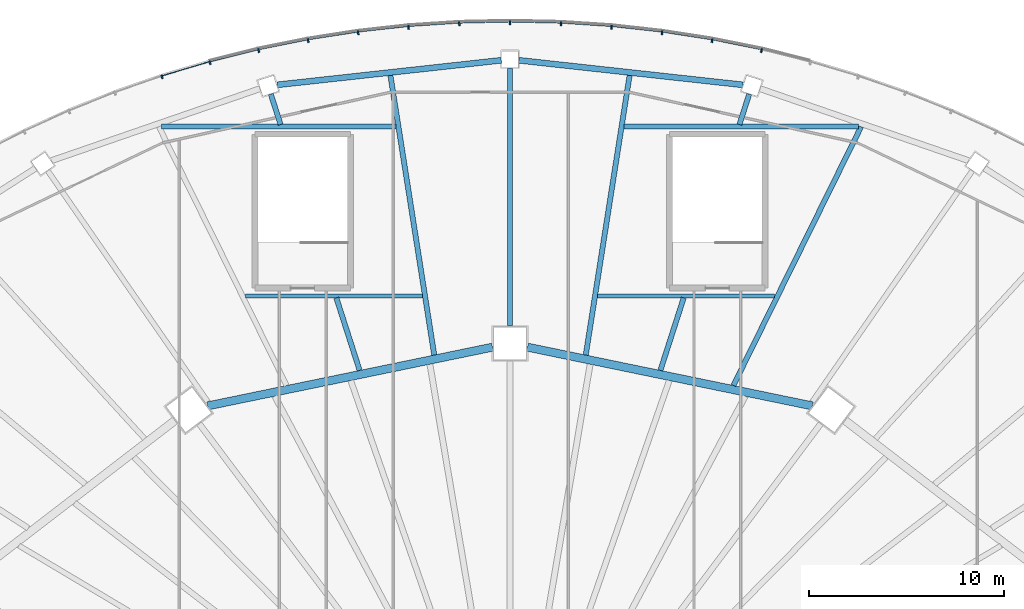
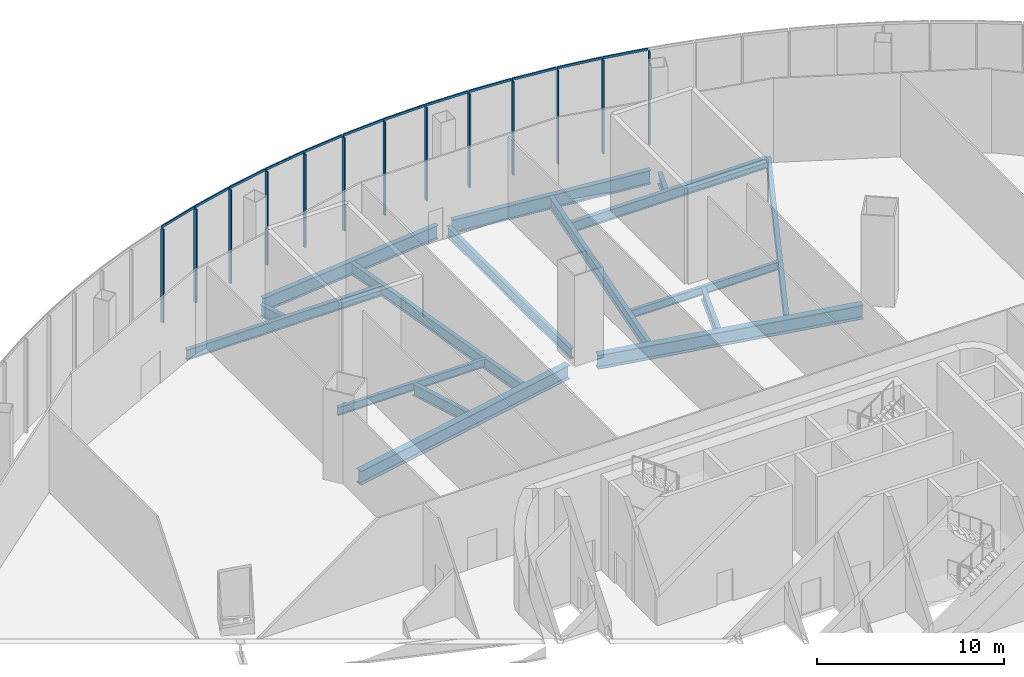
# One storey, part 14 of 33: 25 members, 16 beams, 3 elements without a shape of their own.
"""IFC4 building model written with IfcOpenShell, lengths in metres."""

from ifc_helpers import new_model, si_unit, direction, frame, origin, origin_2d, place, context, subcontext, project, spatial, rectangle, i_section, extrude, material, layer, layer_set, material_profile, profile_set, type_object, element, aggregate, save


model = new_model("IFC4")

# Units and contexts
model_context = context("Model", 3, precision=1e-05, world=origin(), true_north=direction((0.0, 1.0)))
body_context = subcontext(model_context, "Body", "Model", "MODEL_VIEW")
ifc_project = project(units=[si_unit("LENGTHUNIT", "METRE"), si_unit("AREAUNIT", "SQUARE_METRE"), si_unit("VOLUMEUNIT", "CUBIC_METRE"), si_unit("PLANEANGLEUNIT", "RADIAN"), si_unit("MASSUNIT", "GRAM", prefix="KILO")], contexts=[model_context])

# Site, building, storey
site_placement = place(None, origin())
site = spatial("IfcSite", under=ifc_project, at=site_placement, CompositionType="ELEMENT")
building_placement = place(site_placement, origin())
building = spatial("IfcBuilding", under=site, at=building_placement, Name="Sahrelin Media Tower", CompositionType="ELEMENT")
storey_placement = place(building_placement, frame((0.0, 0.0, 37.39990234375)))
storey = spatial("IfcBuildingStorey", under=building, at=storey_placement, Name="L05", CompositionType="ELEMENT", Elevation=37.39990234375)

# Beams
ifc_material_1 = material(Name="Steel S355", Category="steel")
ifc_material_profile_1 = material_profile(ifc_material_1, i_section(OverallWidth=0.208740234375, OverallDepth=0.5283203125, WebThickness=0.009521484375, FlangeThickness=0.01318359375, FilletRadius=0.0126953125, at=origin_2d()), Name="UB 533x210x82")
ifc_profile_set_1 = profile_set([ifc_material_profile_1], Name="Steel S355")
beam_type_1 = type_object("IfcBeamType", Name="Header beam HB6", PredefinedType="BEAM", material=ifc_profile_set_1)
for number, where, z_axis, x_axis, name in (
    (1, (13.59814453125, 27.85009765625, -0.464111328125), (-1.0, 0.0, 0.0), (0.0, -1.0, 0.0), "Header beam L05-01"),
    (2, (-4.50146484375, 27.85009765625, -0.464111328125), (-1.0, 0.0, 0.0), (0.0, -1.0, 0.0), "Header beam L05-03"),
):
    element("IfcBeam", number, at=place(storey_placement, frame(where, z_axis=z_axis, x_axis=x_axis)), inside=storey, type_object=beam_type_1, Name=name, PredefinedType="BEAM", context=body_context, shape_type="SweptSolid", body=[
        extrude(i_section(OverallWidth=0.208740234375, OverallDepth=0.5283203125, WebThickness=0.009521484375, FlangeThickness=0.01318359375, FilletRadius=0.0126953125, at=origin_2d()), origin(), (0.0, 0.0, 1.0), 9.0966796875),
    ])
ifc_material_profile_2 = material_profile(ifc_material_1, i_section(OverallWidth=0.2529296875, OverallDepth=0.677978515625, WebThickness=0.01171875, FlangeThickness=0.01611328125, FilletRadius=0.01513671875, at=origin_2d()), Name="UB 686x254x125")
ifc_profile_set_2 = profile_set([ifc_material_profile_2], Name="Steel S355")
beam_type_2 = type_object("IfcBeamType", Name="Header beam HB8", PredefinedType="BEAM", material=ifc_profile_set_2)
for number, where, z_axis, x_axis, name in (
    (3, (5.86572265625, 36.550048828125, -0.538818359375), (1.0, 0.0, 0.0), (0.0, 1.0, 0.0), "Header beam L05-02"),
    (4, (-17.892333984375, 36.550048828125, -0.538818359375), (1.0, 0.0, 0.0), (0.0, 1.0, 0.0), "Header beam L05-04"),
):
    element("IfcBeam", number, at=place(storey_placement, frame(where, z_axis=z_axis, x_axis=x_axis)), inside=storey, type_object=beam_type_2, Name=name, PredefinedType="BEAM", context=body_context, shape_type="SweptSolid", body=[
        extrude(i_section(OverallWidth=0.2529296875, OverallDepth=0.677978515625, WebThickness=0.01171875, FlangeThickness=0.01611328125, FilletRadius=0.01513671875, at=origin_2d()), origin(), (0.0, 0.0, 1.0), 12.026611328125),
    ])

# Curtain wall, members
ifc_material_2 = material(Name="Champagne anodised aluminium 6063-T6", Category="aluminium")
ifc_layer = layer(ifc_material_2, 0.14990234375)
ifc_layer_set = layer_set([ifc_layer], Name="Podium ribbon curtain wall")
curtain_wall_type = type_object("IfcCurtainWallType", Name="Podium ribbon curtain wall", PredefinedType="NOTDEFINED", material=ifc_layer_set)
curtain_wall_1_placement = place(storey_placement, frame((12.94091796875, 40.56884765625, 0.0), z_axis=(0.0, 0.0, 1.0), x_axis=(1.0, 0.0, 0.0)))
curtain_wall_1 = element("IfcCurtainWall", 5, at=curtain_wall_1_placement, inside=storey, type_object=curtain_wall_type, Name="L05:CW:L05-P05", PredefinedType="NOTDEFINED")
ifc_material_profile_3 = material_profile(ifc_material_2, rectangle(XDim=0.080078125, YDim=0.199951171875, at=origin_2d()), Name="Mullion 80x200")
ifc_profile_set_3 = profile_set([ifc_material_profile_3], Name="Champagne anodised aluminium 6063-T6")
member_type_1 = type_object("IfcMemberType", Name="Mullion 80x200 CW5", PredefinedType="MULLION", material=ifc_profile_set_3)
member_1_placement = place(storey_placement, frame((12.917236328125, 40.451416015625, 0.0), z_axis=(0.0, 0.0, 1.0), x_axis=(-0.980267034681, 0.197677871087, 0.0)))
member_1 = element("IfcMember", 6, at=member_1_placement, type_object=member_type_1, Name="L05:CWM1:L05-P05", PredefinedType="MULLION", context=body_context, shape_type="SweptSolid", body=[
    extrude(rectangle(XDim=0.080078125, YDim=0.199951171875, at=origin_2d()), origin(), (0.0, 0.0, 1.0), 6.10009765625),
])
member_2_placement = place(storey_placement, frame((10.377197265625, 40.963623046875, 0.0), z_axis=(0.0, 0.0, 1.0), x_axis=(-0.988097990296, 0.15382575068, 0.0)))
member_2 = element("IfcMember", 7, at=member_2_placement, type_object=member_type_1, Name="L05:CWM2:L05-P05", PredefinedType="MULLION", context=body_context, shape_type="SweptSolid", body=[
    extrude(rectangle(XDim=0.080078125, YDim=0.199951171875, at=origin_2d()), origin(), (0.0, 0.0, 1.0), 6.10009765625),
])
member_3_placement = place(storey_placement, frame((7.80859375, 41.363525390625, 0.0), z_axis=(0.0, 0.0, 1.0), x_axis=(-0.993941020741, 0.109914727352, 0.0)))
member_3 = element("IfcMember", 8, at=member_3_placement, type_object=member_type_1, Name="L05:CWM3:L05-P05", PredefinedType="MULLION", context=body_context, shape_type="SweptSolid", body=[
    extrude(rectangle(XDim=0.080078125, YDim=0.199951171875, at=origin_2d()), origin(), (0.0, 0.0, 1.0), 6.10009765625),
])
member_4_placement = place(storey_placement, frame((5.218505859375, 41.650146484375, 0.0), z_axis=(0.0, 0.0, 1.0), x_axis=(-0.997822354733, 0.06595868703, 0.0)))
member_4 = element("IfcMember", 9, at=member_4_placement, type_object=member_type_1, Name="L05:CWM4:L05-P05", PredefinedType="MULLION", context=body_context, shape_type="SweptSolid", body=[
    extrude(rectangle(XDim=0.080078125, YDim=0.199951171875, at=origin_2d()), origin(), (0.0, 0.0, 1.0), 6.10009765625),
])
member_5_placement = place(storey_placement, frame((2.6142578125, 41.822509765625, 0.0), z_axis=(0.0, 0.0, 1.0), x_axis=(-0.999757820498, 0.022006825162, 0.0)))
member_5 = element("IfcMember", 10, at=member_5_placement, type_object=member_type_1, Name="L05:CWM5:L05-P05", PredefinedType="MULLION", context=body_context, shape_type="SweptSolid", body=[
    extrude(rectangle(XDim=0.080078125, YDim=0.199951171875, at=origin_2d()), origin(), (0.0, 0.0, 1.0), 6.10009765625),
])

curtain_wall_2_placement = place(storey_placement, frame((0.0, 42.0, 0.0), z_axis=(0.0, 0.0, 1.0), x_axis=(1.0, 0.0, 0.0)))
curtain_wall_2 = element("IfcCurtainWall", 11, at=curtain_wall_2_placement, inside=storey, type_object=curtain_wall_type, Name="L05:CW:L05-P06", PredefinedType="NOTDEFINED")
member_6_placement = place(storey_placement, frame((0.002685546875, 41.8798828125, 0.0), z_axis=(0.0, 0.0, 1.0), x_axis=(-0.999757820498, -0.022006825162, 0.0)))
member_6 = element("IfcMember", 12, at=member_6_placement, type_object=member_type_1, Name="L05:CWM1:L05-P06", PredefinedType="MULLION", context=body_context, shape_type="SweptSolid", body=[
    extrude(rectangle(XDim=0.080078125, YDim=0.199951171875, at=origin_2d()), origin(), (0.0, 0.0, 1.0), 6.10009765625),
])
member_7_placement = place(storey_placement, frame((-2.60888671875, 41.82275390625, 0.0), z_axis=(0.0, 0.0, 1.0), x_axis=(-0.997822354733, -0.06595868703, 0.0)))
member_7 = element("IfcMember", 13, at=member_7_placement, type_object=member_type_1, Name="L05:CWM2:L05-P06", PredefinedType="MULLION", context=body_context, shape_type="SweptSolid", body=[
    extrude(rectangle(XDim=0.080078125, YDim=0.199951171875, at=origin_2d()), origin(), (0.0, 0.0, 1.0), 6.10009765625),
])
member_8_placement = place(storey_placement, frame((-5.213134765625, 41.650634765625, 0.0), z_axis=(0.0, 0.0, 1.0), x_axis=(-0.993941020741, -0.109914727352, 0.0)))
member_8 = element("IfcMember", 14, at=member_8_placement, type_object=member_type_1, Name="L05:CWM3:L05-P06", PredefinedType="MULLION", context=body_context, shape_type="SweptSolid", body=[
    extrude(rectangle(XDim=0.080078125, YDim=0.199951171875, at=origin_2d()), origin(), (0.0, 0.0, 1.0), 6.10009765625),
])
member_9_placement = place(storey_placement, frame((-7.80322265625, 41.3642578125, 0.0), z_axis=(0.0, 0.0, 1.0), x_axis=(-0.988097990296, -0.15382575068, 0.0)))
member_9 = element("IfcMember", 15, at=member_9_placement, type_object=member_type_1, Name="L05:CWM4:L05-P06", PredefinedType="MULLION", context=body_context, shape_type="SweptSolid", body=[
    extrude(rectangle(XDim=0.080078125, YDim=0.199951171875, at=origin_2d()), origin(), (0.0, 0.0, 1.0), 6.10009765625),
])
member_10_placement = place(storey_placement, frame((-10.371826171875, 40.964599609375, 0.0), z_axis=(0.0, 0.0, 1.0), x_axis=(-0.980267034681, -0.197677871087, 0.0)))
member_10 = element("IfcMember", 16, at=member_10_placement, type_object=member_type_1, Name="L05:CWM5:L05-P06", PredefinedType="MULLION", context=body_context, shape_type="SweptSolid", body=[
    extrude(rectangle(XDim=0.080078125, YDim=0.199951171875, at=origin_2d()), origin(), (0.0, 0.0, 1.0), 6.10009765625),
])

curtain_wall_3_placement = place(storey_placement, frame((-12.94091796875, 40.56884765625, 0.0), z_axis=(0.0, 0.0, 1.0), x_axis=(1.0, 0.0, 0.0)))
curtain_wall_3 = element("IfcCurtainWall", 17, at=curtain_wall_3_placement, inside=storey, type_object=curtain_wall_type, Name="L05:CW:L05-P07", PredefinedType="NOTDEFINED")
member_11_placement = place(storey_placement, frame((-12.912109375, 40.452392578125, 0.0), z_axis=(0.0, 0.0, 1.0), x_axis=(-0.970410464409, -0.241461240296, 0.0)))
member_11 = element("IfcMember", 18, at=member_11_placement, type_object=member_type_1, Name="L05:CWM1:L05-P07", PredefinedType="MULLION", context=body_context, shape_type="SweptSolid", body=[
    extrude(rectangle(XDim=0.080078125, YDim=0.199951171875, at=origin_2d()), origin(), (0.0, 0.0, 1.0), 6.10009765625),
])
member_12_placement = place(storey_placement, frame((-15.41650390625, 39.829345703125, 0.0), z_axis=(0.0, 0.0, 1.0), x_axis=(-0.958494922328, -0.285109599754, 0.0)))
member_12 = element("IfcMember", 19, at=member_12_placement, type_object=member_type_1, Name="L05:CWM2:L05-P07", PredefinedType="MULLION", context=body_context, shape_type="SweptSolid", body=[
    extrude(rectangle(XDim=0.080078125, YDim=0.199951171875, at=origin_2d()), origin(), (0.0, 0.0, 1.0), 6.10009765625),
])
member_13_placement = place(storey_placement, frame((-17.87890625, 39.09716796875, 0.0), z_axis=(0.0, 0.0, 1.0), x_axis=(-0.944458420046, -0.328630937077, 0.0)))
member_13 = element("IfcMember", 20, at=member_13_placement, type_object=member_type_1, Name="L05:CWM3:L05-P07", PredefinedType="MULLION", context=body_context, shape_type="SweptSolid", body=[
    extrude(rectangle(XDim=0.080078125, YDim=0.199951171875, at=origin_2d()), origin(), (0.0, 0.0, 1.0), 6.10009765625),
])

# Beams
ifc_material_profile_4 = material_profile(ifc_material_1, i_section(OverallWidth=0.30322265625, OverallDepth=0.903076171875, WebThickness=0.01513671875, FlangeThickness=0.020263671875, FilletRadius=0.01904296875, at=origin_2d()), Name="UB 914x305x201")
ifc_profile_set_4 = profile_set([ifc_material_profile_4], Name="Steel S355")
beam_type_3 = type_object("IfcBeamType", Name="Podium edge girder PE11", PredefinedType="BEAM", material=ifc_profile_set_4)
for number, where, z_axis, x_axis, name in (
    (21, (11.966796875, 38.68701171875, -0.6513671875), (-0.994034160473, 0.109069188193, 0.0), (-0.109069188193, -0.994034160473, 0.0), "Podium edge girder L05-06"),
    (22, (-0.449951171875, 39.95068359375, -0.6513671875), (-0.994034160473, -0.109069188193, 0.0), (0.109069188193, -0.994034160473, 0.0), "Podium edge girder L05-07"),
):
    element("IfcBeam", number, at=place(storey_placement, frame(where, z_axis=z_axis, x_axis=x_axis)), inside=storey, type_object=beam_type_3, Name=name, PredefinedType="BEAM", context=body_context, shape_type="SweptSolid", body=[
        extrude(i_section(OverallWidth=0.30322265625, OverallDepth=0.903076171875, WebThickness=0.01513671875, FlangeThickness=0.020263671875, FilletRadius=0.01904296875, at=origin_2d()), origin(), (0.0, 0.0, 1.0), 11.5859375),
    ])
ifc_material_profile_5 = material_profile(ifc_material_1, i_section(OverallWidth=0.41845703125, OverallDepth=0.911865234375, WebThickness=0.019287109375, FlangeThickness=0.031982421875, FilletRadius=0.024169921875, at=origin_2d()), Name="UB 914x419x343")
ifc_profile_set_5 = profile_set([ifc_material_profile_5], Name="Steel S355")
beam_type_4 = type_object("IfcBeamType", Name="Podium ring girder PG12", PredefinedType="BEAM", material=ifc_profile_set_5)
for number, where, z_axis, x_axis, name in (
    (23, (15.525634765625, 22.197998046875, -0.65576171875), (-0.979388513106, 0.201985495508, 0.0), (-0.201985495508, -0.979388513106, 0.0), "Podium girder L05-03"),
    (24, (-0.89990234375, 25.21435546875, -0.65576171875), (-0.979388513106, -0.201985495508, 0.0), (0.201985495508, -0.979388513106, 0.0), "Podium girder L05-04"),
):
    element("IfcBeam", number, at=place(storey_placement, frame(where, z_axis=z_axis, x_axis=x_axis)), inside=storey, type_object=beam_type_4, Name=name, PredefinedType="BEAM", context=body_context, shape_type="SweptSolid", body=[
        extrude(i_section(OverallWidth=0.41845703125, OverallDepth=0.911865234375, WebThickness=0.019287109375, FlangeThickness=0.031982421875, FilletRadius=0.024169921875, at=origin_2d()), origin(), (0.0, 0.0, 1.0), 14.93359375),
    ])
ifc_material_profile_6 = material_profile(ifc_material_1, i_section(OverallWidth=0.2529296875, OverallDepth=0.677978515625, WebThickness=0.01171875, FlangeThickness=0.01611328125, FilletRadius=0.01513671875, at=origin_2d()), Name="UB 686x254x125")
ifc_profile_set_6 = profile_set([ifc_material_profile_6], Name="Steel S355")
beam_type_5 = type_object("IfcBeamType", Name="Radial primary beam PB8", PredefinedType="BEAM", material=ifc_profile_set_6)
beam_1_placement = place(storey_placement, frame((0.0, 26.300048828125, -0.538818359375), z_axis=(0.0, 1.0, 0.0), x_axis=(-1.0, 0.0, 0.0)))
element("IfcBeam", 25, at=beam_1_placement, inside=storey, type_object=beam_type_5, Name="Radial beam L05-08", PredefinedType="BEAM", context=body_context, shape_type="SweptSolid", body=[
    extrude(i_section(OverallWidth=0.2529296875, OverallDepth=0.677978515625, WebThickness=0.01171875, FlangeThickness=0.01611328125, FilletRadius=0.01513671875, at=origin_2d()), origin(), (0.0, 0.0, 1.0), 13.25),
])
ifc_material_profile_7 = material_profile(ifc_material_1, i_section(OverallWidth=0.26513671875, OverallDepth=0.75390625, WebThickness=0.0126953125, FlangeThickness=0.017578125, FilletRadius=0.0166015625, at=origin_2d()), Name="UB 762x267x147")
ifc_profile_set_7 = profile_set([ifc_material_profile_7], Name="Steel S355")
beam_type_6 = type_object("IfcBeamType", Name="Radial primary beam PB9", PredefinedType="BEAM", material=ifc_profile_set_7)
beam_2_placement = place(storey_placement, frame((7.7236328125, 24.020751953125, -0.576904296875), z_axis=(0.30607575523, 0.952007159669, 0.0), x_axis=(-0.952007159669, 0.30607575523, 0.0)))
element("IfcBeam", 26, at=beam_2_placement, inside=storey, type_object=beam_type_6, Name="Radial beam L05-06", PredefinedType="BEAM", context=body_context, shape_type="SweptSolid", body=[
    extrude(i_section(OverallWidth=0.26513671875, OverallDepth=0.75390625, WebThickness=0.0126953125, FlangeThickness=0.017578125, FilletRadius=0.0166015625, at=origin_2d()), origin(), (0.0, 0.0, 1.0), 3.917236328125),
])
beam_3_placement = place(storey_placement, frame((11.784423828125, 36.64990234375, -0.576904296875), z_axis=(0.306144333921, 0.951985108501, 0.0), x_axis=(-0.951985108501, 0.306144333921, 0.0)))
element("IfcBeam", 27, at=beam_3_placement, inside=storey, type_object=beam_type_6, Name="Radial beam L05-07", PredefinedType="BEAM", context=body_context, shape_type="SweptSolid", body=[
    extrude(i_section(OverallWidth=0.26513671875, OverallDepth=0.75390625, WebThickness=0.0126953125, FlangeThickness=0.017578125, FilletRadius=0.0166015625, at=origin_2d()), origin(), (0.0, 0.0, 1.0), 1.63720703125),
])
beam_4_placement = place(storey_placement, frame((-7.7236328125, 24.020751953125, -0.576904296875), z_axis=(-0.30607575523, 0.952007159669, 0.0), x_axis=(-0.952007159669, -0.30607575523, 0.0)))
element("IfcBeam", 28, at=beam_4_placement, inside=storey, type_object=beam_type_6, Name="Radial beam L05-09", PredefinedType="BEAM", context=body_context, shape_type="SweptSolid", body=[
    extrude(i_section(OverallWidth=0.26513671875, OverallDepth=0.75390625, WebThickness=0.0126953125, FlangeThickness=0.017578125, FilletRadius=0.0166015625, at=origin_2d()), origin(), (0.0, 0.0, 1.0), 3.917236328125),
])
beam_5_placement = place(storey_placement, frame((-11.784423828125, 36.64990234375, -0.576904296875), z_axis=(-0.306144333921, 0.951985108501, 0.0), x_axis=(-0.951985108501, -0.306144333921, 0.0)))
element("IfcBeam", 29, at=beam_5_placement, inside=storey, type_object=beam_type_6, Name="Radial beam L05-10", PredefinedType="BEAM", context=body_context, shape_type="SweptSolid", body=[
    extrude(i_section(OverallWidth=0.26513671875, OverallDepth=0.75390625, WebThickness=0.0126953125, FlangeThickness=0.017578125, FilletRadius=0.0166015625, at=origin_2d()), origin(), (0.0, 0.0, 1.0), 1.63720703125),
])
ifc_material_profile_8 = material_profile(ifc_material_1, i_section(OverallWidth=0.26513671875, OverallDepth=0.75390625, WebThickness=0.0126953125, FlangeThickness=0.017578125, FilletRadius=0.0166015625, at=origin_2d()), Name="UB 762x267x147")
ifc_profile_set_8 = profile_set([ifc_material_profile_8], Name="Steel S355")
beam_type_7 = type_object("IfcBeamType", Name="Radial secondary beam SB9", PredefinedType="BEAM", material=ifc_profile_set_8)
beam_6_placement = place(storey_placement, frame((11.47412109375, 23.247314453125, -0.576904296875), z_axis=(0.442602611298, 0.896717864477, 0.0), x_axis=(-0.896717864477, 0.442602611298, 0.0)))
element("IfcBeam", 30, at=beam_6_placement, inside=storey, type_object=beam_type_7, Name="Secondary beam L05-05", PredefinedType="BEAM", context=body_context, shape_type="SweptSolid", body=[
    extrude(i_section(OverallWidth=0.26513671875, OverallDepth=0.75390625, WebThickness=0.0126953125, FlangeThickness=0.017578125, FilletRadius=0.0166015625, at=origin_2d()), origin(), (0.0, 0.0, 1.0), 14.8232421875),
])
for number, where, z_axis, x_axis, name in (
    (31, (3.890869140625, 24.811279296875, -0.576904296875), (0.154919883605, 0.987927036609, 0.0), (-0.987927036609, 0.154919883605, 0.0), "Secondary beam L05-06"),
    (32, (-3.890869140625, 24.811279296875, -0.576904296875), (-0.154919883605, 0.987927036609, 0.0), (-0.987927036609, -0.154919883605, 0.0), "Secondary beam L05-07"),
):
    element("IfcBeam", number, at=place(storey_placement, frame(where, z_axis=z_axis, x_axis=x_axis)), inside=storey, type_object=beam_type_7, Name=name, PredefinedType="BEAM", context=body_context, shape_type="SweptSolid", body=[
        extrude(i_section(OverallWidth=0.26513671875, OverallDepth=0.75390625, WebThickness=0.0126953125, FlangeThickness=0.017578125, FilletRadius=0.0166015625, at=origin_2d()), origin(), (0.0, 0.0, 1.0), 14.537841796875),
    ])

# Member
ifc_material_profile_9 = material_profile(ifc_material_2, rectangle(XDim=0.06005859375, YDim=0.14990234375, at=origin_2d()), Name="Transom 60x150")
ifc_profile_set_9 = profile_set([ifc_material_profile_9], Name="Champagne anodised aluminium 6063-T6")
member_type_2 = type_object("IfcMemberType", Name="Transom 60x150 CW5", PredefinedType="USERDEFINED", material=ifc_profile_set_9)
member_14_placement = place(storey_placement, frame((12.882080078125, 40.52978515625, 6.175048828125), z_axis=(-0.980266003838, 0.197682982877, 0.0), x_axis=(-0.197682982877, -0.980266003838, 0.0)))
member_14 = element("IfcMember", 33, at=member_14_placement, type_object=member_type_2, Name="L05:CWT1a:L05-P05", ObjectType="TRANSOM", PredefinedType="USERDEFINED", context=body_context, shape_type="SweptSolid", body=[
    extrude(rectangle(XDim=0.06005859375, YDim=0.14990234375, at=origin_2d()), origin(), (0.0, 0.0, 1.0), 2.546630859375),
])

member_15_placement = place(storey_placement, frame((10.33837890625, 41.04052734375, 6.175048828125), z_axis=(-0.98809388136, 0.153852142069, 0.0), x_axis=(-0.153852142069, -0.98809388136, 0.0)))
member_15 = element("IfcMember", 34, at=member_15_placement, type_object=member_type_2, Name="L05:CWT2a:L05-P05", ObjectType="TRANSOM", PredefinedType="USERDEFINED", context=body_context, shape_type="SweptSolid", body=[
    extrude(rectangle(XDim=0.06005859375, YDim=0.14990234375, at=origin_2d()), origin(), (0.0, 0.0, 1.0), 2.554931640625),
])

member_16_placement = place(storey_placement, frame((7.7666015625, 41.438720703125, 6.175048828125), z_axis=(-0.9939417213, 0.109908392122, 0.0), x_axis=(-0.109908392122, -0.9939417213, 0.0)))
member_16 = element("IfcMember", 35, at=member_16_placement, type_object=member_type_2, Name="L05:CWT3a:L05-P05", ObjectType="TRANSOM", PredefinedType="USERDEFINED", context=body_context, shape_type="SweptSolid", body=[
    extrude(rectangle(XDim=0.06005859375, YDim=0.14990234375, at=origin_2d()), origin(), (0.0, 0.0, 1.0), 2.561279296875),
])

member_17_placement = place(storey_placement, frame((5.173095703125, 41.723388671875, 6.175048828125), z_axis=(-0.997822480178, 0.065956789275, 0.0), x_axis=(-0.065956789275, -0.997822480178, 0.0)))
member_17 = element("IfcMember", 36, at=member_17_placement, type_object=member_type_2, Name="L05:CWT4a:L05-P05", ObjectType="TRANSOM", PredefinedType="USERDEFINED", context=body_context, shape_type="SweptSolid", body=[
    extrude(rectangle(XDim=0.06005859375, YDim=0.14990234375, at=origin_2d()), origin(), (0.0, 0.0, 1.0), 2.565185546875),
])

member_18_placement = place(storey_placement, frame((2.565673828125, 41.8935546875, 6.175048828125), z_axis=(-0.999758731389, 0.021965404884, 0.0), x_axis=(-0.021965404884, -0.999758731389, 0.0)))
member_18 = element("IfcMember", 37, at=member_18_placement, type_object=member_type_2, Name="L05:CWT5a:L05-P05", ObjectType="TRANSOM", PredefinedType="USERDEFINED", context=body_context, shape_type="SweptSolid", body=[
    extrude(rectangle(XDim=0.06005859375, YDim=0.14990234375, at=origin_2d()), origin(), (0.0, 0.0, 1.0), 2.567626953125),
])

aggregate(curtain_wall_1, [member_1, member_14, member_2, member_15, member_3, member_16, member_4, member_17, member_5, member_18])

member_19_placement = place(storey_placement, frame((-0.048828125, 41.948974609375, 6.175048828125), z_axis=(-0.999756638726, -0.022060447041, 0.0), x_axis=(0.022060447041, -0.999756638726, 0.0)))
member_19 = element("IfcMember", 38, at=member_19_placement, type_object=member_type_2, Name="L05:CWT1a:L05-P06", ObjectType="TRANSOM", PredefinedType="USERDEFINED", context=body_context, shape_type="SweptSolid", body=[
    extrude(rectangle(XDim=0.06005859375, YDim=0.14990234375, at=origin_2d()), origin(), (0.0, 0.0, 1.0), 2.567626953125),
])

member_20_placement = place(storey_placement, frame((-2.663330078125, 41.88916015625, 6.175048828125), z_axis=(-0.997822894162, -0.065950526052, 0.0), x_axis=(0.065950526052, -0.997822894162, 0.0)))
member_20 = element("IfcMember", 39, at=member_20_placement, type_object=member_type_2, Name="L05:CWT2a:L05-P06", ObjectType="TRANSOM", PredefinedType="USERDEFINED", context=body_context, shape_type="SweptSolid", body=[
    extrude(rectangle(XDim=0.06005859375, YDim=0.14990234375, at=origin_2d()), origin(), (0.0, 0.0, 1.0), 2.5654296875),
])

member_21_placement = place(storey_placement, frame((-5.2705078125, 41.714599609375, 6.175048828125), z_axis=(-0.9939417213, -0.109908392122, 0.0), x_axis=(0.109908392122, -0.9939417213, 0.0)))
member_21 = element("IfcMember", 40, at=member_21_placement, type_object=member_type_2, Name="L05:CWT3a:L05-P06", ObjectType="TRANSOM", PredefinedType="USERDEFINED", context=body_context, shape_type="SweptSolid", body=[
    extrude(rectangle(XDim=0.06005859375, YDim=0.14990234375, at=origin_2d()), origin(), (0.0, 0.0, 1.0), 2.561279296875),
])

member_22_placement = place(storey_placement, frame((-7.86328125, 41.42578125, 6.175048828125), z_axis=(-0.988096142999, -0.153837616307, 0.0), x_axis=(0.153837616307, -0.988096142999, 0.0)))
member_22 = element("IfcMember", 41, at=member_22_placement, type_object=member_type_2, Name="L05:CWT4a:L05-P06", ObjectType="TRANSOM", PredefinedType="USERDEFINED", context=body_context, shape_type="SweptSolid", body=[
    extrude(rectangle(XDim=0.06005859375, YDim=0.14990234375, at=origin_2d()), origin(), (0.0, 0.0, 1.0), 2.55517578125),
])

member_23_placement = place(storey_placement, frame((-10.434814453125, 41.023193359375, 6.175048828125), z_axis=(-0.980284577643, -0.197590857166, 0.0), x_axis=(0.197590857166, -0.980284577643, 0.0)))
member_23 = element("IfcMember", 42, at=member_23_placement, type_object=member_type_2, Name="L05:CWT5a:L05-P06", ObjectType="TRANSOM", PredefinedType="USERDEFINED", context=body_context, shape_type="SweptSolid", body=[
    extrude(rectangle(XDim=0.06005859375, YDim=0.14990234375, at=origin_2d()), origin(), (0.0, 0.0, 1.0), 2.546630859375),
])

aggregate(curtain_wall_2, [member_6, member_19, member_7, member_20, member_8, member_21, member_9, member_22, member_10, member_23])

member_24_placement = place(storey_placement, frame((-12.977294921875, 40.50830078125, 6.175048828125), z_axis=(-0.970424936956, -0.241403069023, 0.0), x_axis=(0.241403069023, -0.970424936956, 0.0)))
member_24 = element("IfcMember", 43, at=member_24_placement, type_object=member_type_2, Name="L05:CWT1a:L05-P07", ObjectType="TRANSOM", PredefinedType="USERDEFINED", context=body_context, shape_type="SweptSolid", body=[
    extrude(rectangle(XDim=0.06005859375, YDim=0.14990234375, at=origin_2d()), origin(), (0.0, 0.0, 1.0), 2.536376953125),
])

member_25_placement = place(storey_placement, frame((-15.484619140625, 39.882080078125, 6.175048828125), z_axis=(-0.958515646139, -0.285039920199, 0.0), x_axis=(0.285039920199, -0.958515646139, 0.0)))
member_25 = element("IfcMember", 44, at=member_25_placement, type_object=member_type_2, Name="L05:CWT2a:L05-P07", ObjectType="TRANSOM", PredefinedType="USERDEFINED", context=body_context, shape_type="SweptSolid", body=[
    extrude(rectangle(XDim=0.06005859375, YDim=0.14990234375, at=origin_2d()), origin(), (0.0, 0.0, 1.0), 2.524169921875),
])

aggregate(curtain_wall_3, [member_11, member_24, member_12, member_25, member_13])

save(model, "model.ifc")
